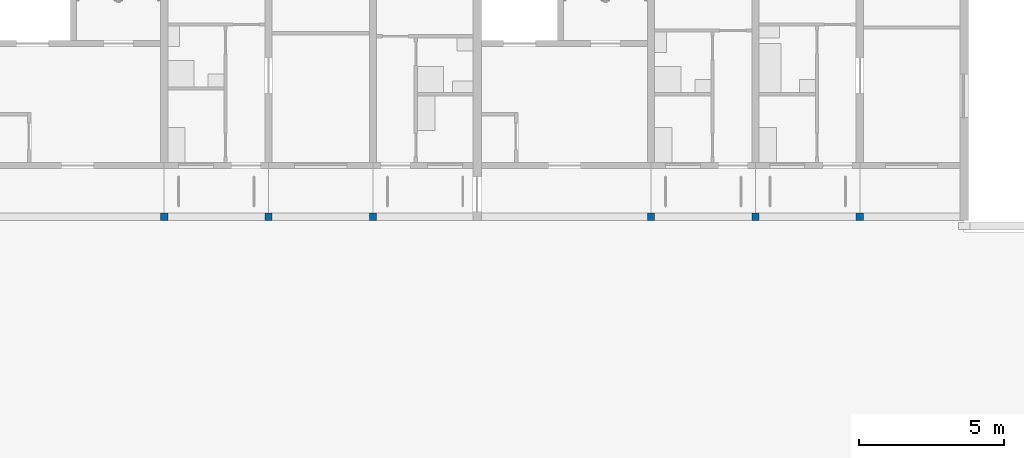
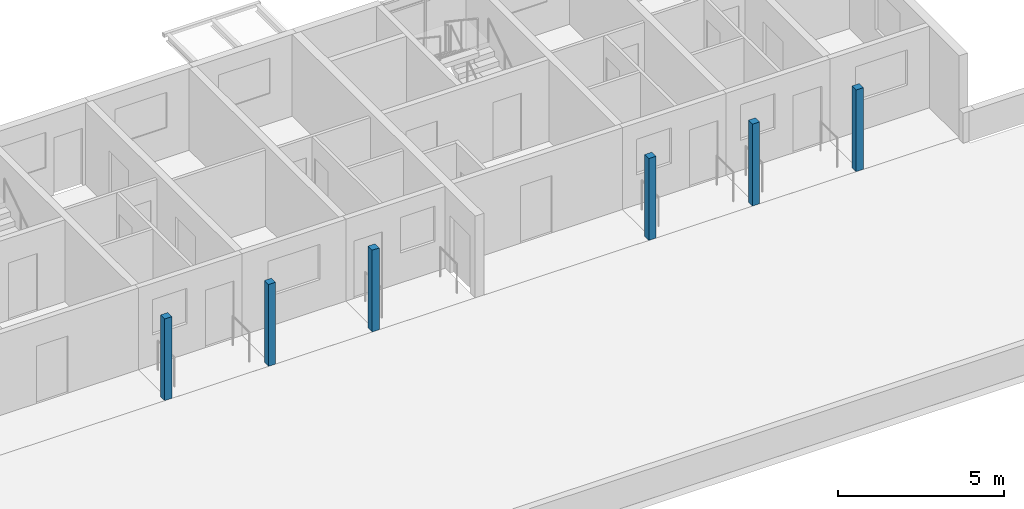
# One storey, part 7 of 115: 6 columns.
"""IFC4 building model written with IfcOpenShell, lengths in metres."""

from ifc_helpers import new_model, si_unit, direction, frame, origin, origin_2d, place, context, subcontext, project, spatial, rectangle, extrude, material, material_profile, profile_set, type_object, element, save


model = new_model("IFC4")

# Units and contexts
model_context = context("Model", 3, precision=1e-05, world=origin(), true_north=direction((0.0, 1.0)))
body_context = subcontext(model_context, "Body", "Model", "MODEL_VIEW")
ifc_project = project(units=[si_unit("LENGTHUNIT", "METRE"), si_unit("AREAUNIT", "SQUARE_METRE"), si_unit("VOLUMEUNIT", "CUBIC_METRE"), si_unit("PLANEANGLEUNIT", "RADIAN"), si_unit("MASSUNIT", "GRAM", prefix="KILO")], contexts=[model_context])

# Site, building, storey
site_placement = place(None, origin())
site = spatial("IfcSite", under=ifc_project, at=site_placement, CompositionType="ELEMENT")
building_placement = place(site_placement, origin())
building = spatial("IfcBuilding", under=site, at=building_placement, Name="Ridgestep Commons", CompositionType="ELEMENT")
storey_placement = place(building_placement, frame((0.0, 0.0, 6.0)))
storey = spatial("IfcBuildingStorey", under=building, at=storey_placement, Name="L02", CompositionType="ELEMENT", Elevation=6.0)

# Columns
ifc_material = material(Name="Precast concrete C40/50", Category="concrete")
ifc_material_profile = material_profile(ifc_material, rectangle(XDim=0.25, YDim=0.25, at=origin_2d()), Name="PC 250x250")
ifc_profile_set = profile_set([ifc_material_profile], Name="Precast concrete C40/50")
column_type = type_object("IfcColumnType", Name="Loggia column 250 x 250", PredefinedType="COLUMN", material=ifc_profile_set)
for number, where, z_axis, x_axis, name in (
    (1, (220.0, 11.875, 0.0), (0.0, 0.0, 1.0), (1.0, 0.0, 0.0), "Loggia column D L02"),
    (2, (223.60009765625, 11.875, 0.0), (0.0, 0.0, 1.0), (1.0, 0.0, 0.0), "Loggia column D L02"),
    (3, (227.199951171875, 11.875, 0.0), (0.0, 0.0, 1.0), (1.0, 0.0, 0.0), "Loggia column D L02"),
    (4, (236.800048828125, 11.875, 0.0), (0.0, 0.0, 1.0), (1.0, 0.0, 0.0), "Loggia column D L02"),
    (5, (240.39990234375, 11.875, 0.0), (0.0, 0.0, 1.0), (1.0, 0.0, 0.0), "Loggia column D L02"),
    (6, (244.0, 11.875, 0.0), (0.0, 0.0, 1.0), (1.0, 0.0, 0.0), "Loggia column D L02"),
):
    element("IfcColumn", number, at=place(storey_placement, frame(where, z_axis=z_axis, x_axis=x_axis)), inside=storey, type_object=column_type, Name=name, PredefinedType="COLUMN", context=body_context, shape_type="SweptSolid", body=[
        extrude(rectangle(XDim=0.25, YDim=0.25, at=origin_2d()), origin(), (0.0, 0.0, 1.0), 3.0),
    ])

save(model, "model.ifc")
